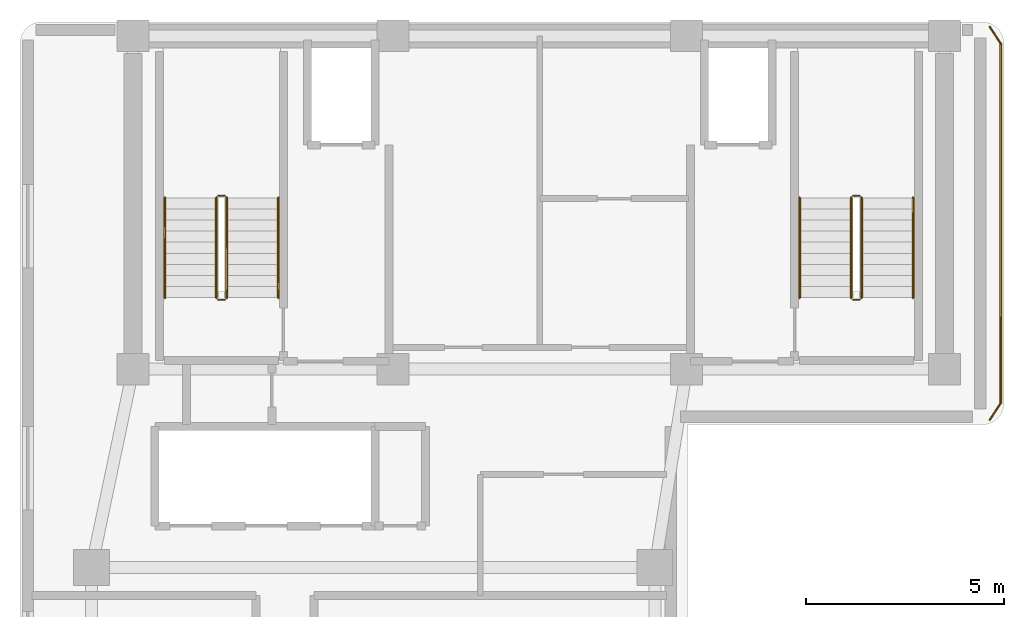
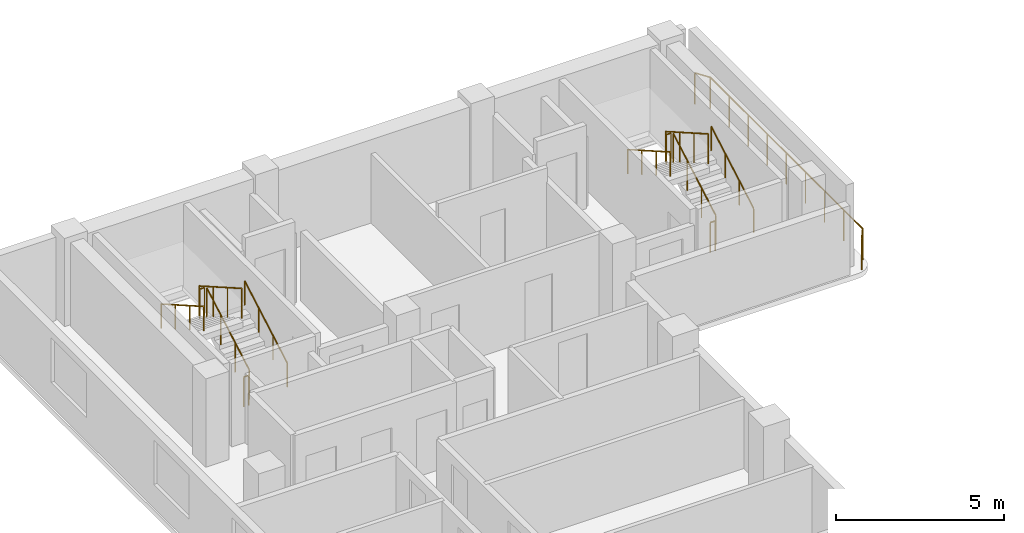
# One storey, part 4 of 4: 15 railings.
"""IFC4 building model written with IfcOpenShell, lengths in metres."""

from ifc_helpers import new_model, si_unit, direction, frame, origin, origin_2d, place, context, subcontext, project, spatial, circle, extrude, material, layer, layer_set, type_object, element, save


model = new_model("IFC4")

# Units and contexts
model_context = context("Model", 3, precision=1e-05, world=origin(), true_north=direction((0.0, 1.0)))
body_context = subcontext(model_context, "Body", "Model", "MODEL_VIEW")
ifc_project = project(units=[si_unit("LENGTHUNIT", "METRE"), si_unit("AREAUNIT", "SQUARE_METRE"), si_unit("VOLUMEUNIT", "CUBIC_METRE"), si_unit("PLANEANGLEUNIT", "RADIAN"), si_unit("MASSUNIT", "GRAM", prefix="KILO")], contexts=[model_context])

# Site, building, storey
site_placement = place(None, origin())
site = spatial("IfcSite", under=ifc_project, at=site_placement, CompositionType="ELEMENT")
building_placement = place(site_placement, origin())
building = spatial("IfcBuilding", under=site, at=building_placement, Name="Kuzgunbayir Cultural Tower", CompositionType="ELEMENT")
storey_placement = place(building_placement, frame((0.0, 0.0, 208.0)))
storey = spatial("IfcBuildingStorey", under=building, at=storey_placement, Name="L61", CompositionType="ELEMENT", Elevation=208.0)

# Railings
ifc_material_1 = material(Name="Laminated Glass and Stainless Steel", Category="steel")
ifc_layer_1 = layer(ifc_material_1, 0.080078125)
ifc_layer_set_1 = layer_set([ifc_layer_1], Name="Laminated Glass and Stainless Steel")
railing_type_1 = type_object("IfcRailingType", Name="RLG-BAL-115", PredefinedType="BALUSTRADE", material=ifc_layer_set_1)
railing_1_placement = place(storey_placement, frame((28.0400390625, 42.429931640625, 0.0)))
element("IfcRailing", 1, at=railing_1_placement, inside=storey, type_object=railing_type_1, Name="L61 Perimeter Edge Guard 1", PredefinedType="BALUSTRADE", context=body_context, shape_type="SweptSolid", body=[
    extrude(circle(Radius=0.02392578125, at=origin_2d()), frame((0.0, 0.0, 1.1259765625), z_axis=(0.545774188207, -0.837932297675, 0.0), x_axis=(0.837932297675, 0.545774188207, 0.0)), (0.0, 0.0, 1.0), 0.51318359375),
    extrude(circle(Radius=0.02099609375, at=origin_2d()), origin(), (0.0, 0.0, 1.0), 1.101806640625),
    extrude(circle(Radius=0.02099609375, at=origin_2d()), frame((0.280029296875, -0.429931640625, 0.0)), (0.0, 0.0, 1.0), 1.101806640625),
])
railing_2_placement = place(storey_placement, frame((28.320068359375, 42.0, 0.0)))
element("IfcRailing", 2, at=railing_2_placement, inside=storey, type_object=railing_type_1, Name="L61 Perimeter Edge Guard 2", PredefinedType="BALUSTRADE", context=body_context, shape_type="SweptSolid", body=[
    extrude(circle(Radius=0.02392578125, at=origin_2d()), frame((0.0, 0.0, 1.1259765625), z_axis=(0.0, -1.0, 0.0), x_axis=(1.0, 0.0, 0.0)), (0.0, 0.0, 1.0), 9.050048828125),
    extrude(circle(Radius=0.02099609375, at=origin_2d()), origin(), (0.0, 0.0, 1.0), 1.101806640625),
    extrude(circle(Radius=0.02099609375, at=origin_2d()), frame((0.0, -1.13134765625, 0.0)), (0.0, 0.0, 1.0), 1.101806640625),
    extrude(circle(Radius=0.02099609375, at=origin_2d()), frame((0.0, -2.262451171875, 0.0)), (0.0, 0.0, 1.0), 1.101806640625),
    extrude(circle(Radius=0.02099609375, at=origin_2d()), frame((0.0, -3.393798828125, 0.0)), (0.0, 0.0, 1.0), 1.101806640625),
    extrude(circle(Radius=0.02099609375, at=origin_2d()), frame((0.0, -4.52490234375, 0.0)), (0.0, 0.0, 1.0), 1.101806640625),
    extrude(circle(Radius=0.02099609375, at=origin_2d()), frame((0.0, -5.65625, 0.0)), (0.0, 0.0, 1.0), 1.101806640625),
    extrude(circle(Radius=0.02099609375, at=origin_2d()), frame((0.0, -6.78759765625, 0.0)), (0.0, 0.0, 1.0), 1.101806640625),
    extrude(circle(Radius=0.02099609375, at=origin_2d()), frame((0.0, -7.918701171875, 0.0)), (0.0, 0.0, 1.0), 1.101806640625),
    extrude(circle(Radius=0.02099609375, at=origin_2d()), frame((0.0, -9.050048828125, 0.0)), (0.0, 0.0, 1.0), 1.101806640625),
])
railing_3_placement = place(storey_placement, frame((28.320068359375, 32.949951171875, 0.0)))
element("IfcRailing", 3, at=railing_3_placement, inside=storey, type_object=railing_type_1, Name="L61 Perimeter Edge Guard 3", PredefinedType="BALUSTRADE", context=body_context, shape_type="SweptSolid", body=[
    extrude(circle(Radius=0.02392578125, at=origin_2d()), frame((0.0, 0.0, 1.1259765625), z_axis=(-0.545774188207, -0.837932297675, 0.0), x_axis=(0.837932297675, -0.545774188207, 0.0)), (0.0, 0.0, 1.0), 0.51318359375),
    extrude(circle(Radius=0.02099609375, at=origin_2d()), origin(), (0.0, 0.0, 1.0), 1.101806640625),
    extrude(circle(Radius=0.02099609375, at=origin_2d()), frame((-0.280029296875, -0.429931640625, 0.0)), (0.0, 0.0, 1.0), 1.101806640625),
])
ifc_material_2 = material(Name="Brushed Stainless Steel", Category="steel")
ifc_layer_2 = layer(ifc_material_2, 0.050048828125)
ifc_layer_set_2 = layer_set([ifc_layer_2], Name="Brushed Stainless Steel")
railing_type_2 = type_object("IfcRailingType", Name="RLG-STAIR-HANDRAIL", PredefinedType="HANDRAIL", material=ifc_layer_set_2)
railing_4_placement = place(storey_placement, frame((10.110107421875, 35.60009765625, 0.159912109375)))
element("IfcRailing", 4, at=railing_4_placement, inside=storey, type_object=railing_type_2, Name="L61 ST-1 stair handrail 1", PredefinedType="HANDRAIL", context=body_context, shape_type="SweptSolid", body=[
    extrude(circle(Radius=0.02392578125, at=origin_2d()), frame((0.0, 0.0, 0.8759765625), z_axis=(0.0, 0.868217259934, 0.496184229447), x_axis=(-1.0, 0.0, 0.0)), (0.0, 0.0, 1.0), 2.902587890625),
    extrude(circle(Radius=0.02099609375, at=origin_2d()), origin(), (0.0, 0.0, 1.0), 0.851806640625),
    extrude(circle(Radius=0.02099609375, at=origin_2d()), frame((0.0, 0.840087890625, 0.47998046875)), (0.0, 0.0, 1.0), 0.851806640625),
    extrude(circle(Radius=0.02099609375, at=origin_2d()), frame((0.0, 1.679931640625, 0.960205078125)), (0.0, 0.0, 1.0), 0.851806640625),
    extrude(circle(Radius=0.02099609375, at=origin_2d()), frame((0.0, 2.52001953125, 1.440185546875)), (0.0, 0.0, 1.0), 0.851806640625),
])
railing_5_placement = place(storey_placement, frame((7.25, 38.1201171875, 1.760009765625)))
element("IfcRailing", 5, at=railing_5_placement, inside=storey, type_object=railing_type_2, Name="L61 ST-1 stair handrail 2", PredefinedType="HANDRAIL", context=body_context, shape_type="SweptSolid", body=[
    extrude(circle(Radius=0.02392578125, at=origin_2d()), frame((0.0, 0.0, 0.8759765625), z_axis=(0.0, -0.868253494771, 0.496120820787), x_axis=(1.0, 0.0, 0.0)), (0.0, 0.0, 1.0), 2.90234375),
    extrude(circle(Radius=0.02099609375, at=origin_2d()), origin(), (0.0, 0.0, 1.0), 0.851806640625),
    extrude(circle(Radius=0.02099609375, at=origin_2d()), frame((0.0, -0.840087890625, 0.47998046875)), (0.0, 0.0, 1.0), 0.851806640625),
    extrude(circle(Radius=0.02099609375, at=origin_2d()), frame((0.0, -1.679931640625, 0.9599609375)), (0.0, 0.0, 1.0), 0.851806640625),
    extrude(circle(Radius=0.02099609375, at=origin_2d()), frame((0.0, -2.52001953125, 1.43994140625)), (0.0, 0.0, 1.0), 0.851806640625),
])
railing_6_placement = place(storey_placement, frame((26.110107421875, 35.60009765625, 0.159912109375)))
element("IfcRailing", 6, at=railing_6_placement, inside=storey, type_object=railing_type_2, Name="L61 ST-2 stair handrail 1", PredefinedType="HANDRAIL", context=body_context, shape_type="SweptSolid", body=[
    extrude(circle(Radius=0.02392578125, at=origin_2d()), frame((0.0, 0.0, 0.8759765625), z_axis=(0.0, 0.868217259934, 0.496184229447), x_axis=(-1.0, 0.0, 0.0)), (0.0, 0.0, 1.0), 2.902587890625),
    extrude(circle(Radius=0.02099609375, at=origin_2d()), origin(), (0.0, 0.0, 1.0), 0.851806640625),
    extrude(circle(Radius=0.02099609375, at=origin_2d()), frame((0.0, 0.840087890625, 0.47998046875)), (0.0, 0.0, 1.0), 0.851806640625),
    extrude(circle(Radius=0.02099609375, at=origin_2d()), frame((0.0, 1.679931640625, 0.960205078125)), (0.0, 0.0, 1.0), 0.851806640625),
    extrude(circle(Radius=0.02099609375, at=origin_2d()), frame((0.0, 2.52001953125, 1.440185546875)), (0.0, 0.0, 1.0), 0.851806640625),
])
railing_7_placement = place(storey_placement, frame((23.25, 38.1201171875, 1.760009765625)))
element("IfcRailing", 7, at=railing_7_placement, inside=storey, type_object=railing_type_2, Name="L61 ST-2 stair handrail 2", PredefinedType="HANDRAIL", context=body_context, shape_type="SweptSolid", body=[
    extrude(circle(Radius=0.02392578125, at=origin_2d()), frame((0.0, 0.0, 0.8759765625), z_axis=(0.0, -0.868253494771, 0.496120820787), x_axis=(1.0, 0.0, 0.0)), (0.0, 0.0, 1.0), 2.90234375),
    extrude(circle(Radius=0.02099609375, at=origin_2d()), origin(), (0.0, 0.0, 1.0), 0.851806640625),
    extrude(circle(Radius=0.02099609375, at=origin_2d()), frame((0.0, -0.840087890625, 0.47998046875)), (0.0, 0.0, 1.0), 0.851806640625),
    extrude(circle(Radius=0.02099609375, at=origin_2d()), frame((0.0, -1.679931640625, 0.9599609375)), (0.0, 0.0, 1.0), 0.851806640625),
    extrude(circle(Radius=0.02099609375, at=origin_2d()), frame((0.0, -2.52001953125, 1.43994140625)), (0.0, 0.0, 1.0), 0.851806640625),
])
ifc_material_3 = material(Name="Painted Steel Balustrade", Category="steel")
ifc_layer_3 = layer(ifc_material_3, 0.06005859375)
ifc_layer_set_3 = layer_set([ifc_layer_3], Name="Painted Steel Balustrade")
railing_type_3 = type_object("IfcRailingType", Name="RLG-WELL-GUARD", PredefinedType="GUARDRAIL", material=ifc_layer_set_3)
railing_8_placement = place(storey_placement, frame((8.81005859375, 35.60009765625, 0.159912109375)))
element("IfcRailing", 8, at=railing_8_placement, inside=storey, type_object=railing_type_3, Name="L61 ST-1 stair guard 1", PredefinedType="GUARDRAIL", context=body_context, shape_type="SweptSolid", body=[
    extrude(circle(Radius=0.02392578125, at=origin_2d()), frame((0.0, 0.0, 1.076171875), z_axis=(0.0, 0.868217259934, 0.496184229447), x_axis=(-1.0, 0.0, 0.0)), (0.0, 0.0, 1.0), 2.902587890625),
    extrude(circle(Radius=0.02099609375, at=origin_2d()), origin(), (0.0, 0.0, 1.0), 1.052001953125),
    extrude(circle(Radius=0.02099609375, at=origin_2d()), frame((0.0, 0.840087890625, 0.47998046875)), (0.0, 0.0, 1.0), 1.052001953125),
    extrude(circle(Radius=0.02099609375, at=origin_2d()), frame((0.0, 1.679931640625, 0.960205078125)), (0.0, 0.0, 1.0), 1.052001953125),
    extrude(circle(Radius=0.02099609375, at=origin_2d()), frame((0.0, 2.52001953125, 1.440185546875)), (0.0, 0.0, 1.0), 1.052001953125),
])
railing_9_placement = place(storey_placement, frame((8.760009765625, 38.169921875, 1.60009765625)))
element("IfcRailing", 9, at=railing_9_placement, inside=storey, type_object=railing_type_3, Name="L61 ST-1 stair guard 2", PredefinedType="GUARDRAIL", context=body_context, shape_type="SweptSolid", body=[
    extrude(circle(Radius=0.02392578125, at=origin_2d()), frame((0.0, 0.0, 1.076171875), z_axis=(-1.0, 0.0, 0.0), x_axis=(0.0, -1.0, 0.0)), (0.0, 0.0, 1.0), 0.159912109375),
    extrude(circle(Radius=0.02099609375, at=origin_2d()), origin(), (0.0, 0.0, 1.0), 1.052001953125),
    extrude(circle(Radius=0.02099609375, at=origin_2d()), frame((-0.159912109375, 0.0, 0.0)), (0.0, 0.0, 1.0), 1.052001953125),
])
railing_10_placement = place(storey_placement, frame((8.550048828125, 38.1201171875, 1.760009765625)))
element("IfcRailing", 10, at=railing_10_placement, inside=storey, type_object=railing_type_3, Name="L61 ST-1 stair guard 3", PredefinedType="GUARDRAIL", context=body_context, shape_type="SweptSolid", body=[
    extrude(circle(Radius=0.02392578125, at=origin_2d()), frame((0.0, 0.0, 1.076171875), z_axis=(0.0, -0.868253494771, 0.496120820787), x_axis=(1.0, 0.0, 0.0)), (0.0, 0.0, 1.0), 2.90234375),
    extrude(circle(Radius=0.02099609375, at=origin_2d()), origin(), (0.0, 0.0, 1.0), 1.052001953125),
    extrude(circle(Radius=0.02099609375, at=origin_2d()), frame((0.0, -0.840087890625, 0.47998046875)), (0.0, 0.0, 1.0), 1.052001953125),
    extrude(circle(Radius=0.02099609375, at=origin_2d()), frame((0.0, -1.679931640625, 0.9599609375)), (0.0, 0.0, 1.0), 1.052001953125),
    extrude(circle(Radius=0.02099609375, at=origin_2d()), frame((0.0, -2.52001953125, 1.43994140625)), (0.0, 0.0, 1.0), 1.052001953125),
])
railing_11_placement = place(storey_placement, frame((8.760009765625, 35.550048828125, 0.0)))
element("IfcRailing", 11, at=railing_11_placement, inside=storey, type_object=railing_type_3, Name="L61 ST-1 stair guard 4", PredefinedType="GUARDRAIL", context=body_context, shape_type="SweptSolid", body=[
    extrude(circle(Radius=0.02392578125, at=origin_2d()), frame((0.0, 0.0, 1.076171875), z_axis=(-1.0, 0.0, 0.0), x_axis=(0.0, -1.0, 0.0)), (0.0, 0.0, 1.0), 0.159912109375),
    extrude(circle(Radius=0.02099609375, at=origin_2d()), origin(), (0.0, 0.0, 1.0), 1.052001953125),
    extrude(circle(Radius=0.02099609375, at=origin_2d()), frame((-0.159912109375, 0.0, 0.0)), (0.0, 0.0, 1.0), 1.052001953125),
])
railing_12_placement = place(storey_placement, frame((24.81005859375, 35.60009765625, 0.159912109375)))
element("IfcRailing", 12, at=railing_12_placement, inside=storey, type_object=railing_type_3, Name="L61 ST-2 stair guard 1", PredefinedType="GUARDRAIL", context=body_context, shape_type="SweptSolid", body=[
    extrude(circle(Radius=0.02392578125, at=origin_2d()), frame((0.0, 0.0, 1.076171875), z_axis=(0.0, 0.868217259934, 0.496184229447), x_axis=(-1.0, 0.0, 0.0)), (0.0, 0.0, 1.0), 2.902587890625),
    extrude(circle(Radius=0.02099609375, at=origin_2d()), origin(), (0.0, 0.0, 1.0), 1.052001953125),
    extrude(circle(Radius=0.02099609375, at=origin_2d()), frame((0.0, 0.840087890625, 0.47998046875)), (0.0, 0.0, 1.0), 1.052001953125),
    extrude(circle(Radius=0.02099609375, at=origin_2d()), frame((0.0, 1.679931640625, 0.960205078125)), (0.0, 0.0, 1.0), 1.052001953125),
    extrude(circle(Radius=0.02099609375, at=origin_2d()), frame((0.0, 2.52001953125, 1.440185546875)), (0.0, 0.0, 1.0), 1.052001953125),
])
railing_13_placement = place(storey_placement, frame((24.760009765625, 38.169921875, 1.60009765625)))
element("IfcRailing", 13, at=railing_13_placement, inside=storey, type_object=railing_type_3, Name="L61 ST-2 stair guard 2", PredefinedType="GUARDRAIL", context=body_context, shape_type="SweptSolid", body=[
    extrude(circle(Radius=0.02392578125, at=origin_2d()), frame((0.0, 0.0, 1.076171875), z_axis=(-1.0, 0.0, 0.0), x_axis=(0.0, -1.0, 0.0)), (0.0, 0.0, 1.0), 0.159912109375),
    extrude(circle(Radius=0.02099609375, at=origin_2d()), origin(), (0.0, 0.0, 1.0), 1.052001953125),
    extrude(circle(Radius=0.02099609375, at=origin_2d()), frame((-0.159912109375, 0.0, 0.0)), (0.0, 0.0, 1.0), 1.052001953125),
])
railing_14_placement = place(storey_placement, frame((24.550048828125, 38.1201171875, 1.760009765625)))
element("IfcRailing", 14, at=railing_14_placement, inside=storey, type_object=railing_type_3, Name="L61 ST-2 stair guard 3", PredefinedType="GUARDRAIL", context=body_context, shape_type="SweptSolid", body=[
    extrude(circle(Radius=0.02392578125, at=origin_2d()), frame((0.0, 0.0, 1.076171875), z_axis=(0.0, -0.868253494771, 0.496120820787), x_axis=(1.0, 0.0, 0.0)), (0.0, 0.0, 1.0), 2.90234375),
    extrude(circle(Radius=0.02099609375, at=origin_2d()), origin(), (0.0, 0.0, 1.0), 1.052001953125),
    extrude(circle(Radius=0.02099609375, at=origin_2d()), frame((0.0, -0.840087890625, 0.47998046875)), (0.0, 0.0, 1.0), 1.052001953125),
    extrude(circle(Radius=0.02099609375, at=origin_2d()), frame((0.0, -1.679931640625, 0.9599609375)), (0.0, 0.0, 1.0), 1.052001953125),
    extrude(circle(Radius=0.02099609375, at=origin_2d()), frame((0.0, -2.52001953125, 1.43994140625)), (0.0, 0.0, 1.0), 1.052001953125),
])
railing_15_placement = place(storey_placement, frame((24.760009765625, 35.550048828125, 0.0)))
element("IfcRailing", 15, at=railing_15_placement, inside=storey, type_object=railing_type_3, Name="L61 ST-2 stair guard 4", PredefinedType="GUARDRAIL", context=body_context, shape_type="SweptSolid", body=[
    extrude(circle(Radius=0.02392578125, at=origin_2d()), frame((0.0, 0.0, 1.076171875), z_axis=(-1.0, 0.0, 0.0), x_axis=(0.0, -1.0, 0.0)), (0.0, 0.0, 1.0), 0.159912109375),
    extrude(circle(Radius=0.02099609375, at=origin_2d()), origin(), (0.0, 0.0, 1.0), 1.052001953125),
    extrude(circle(Radius=0.02099609375, at=origin_2d()), frame((-0.159912109375, 0.0, 0.0)), (0.0, 0.0, 1.0), 1.052001953125),
])

save(model, "model.ifc")
